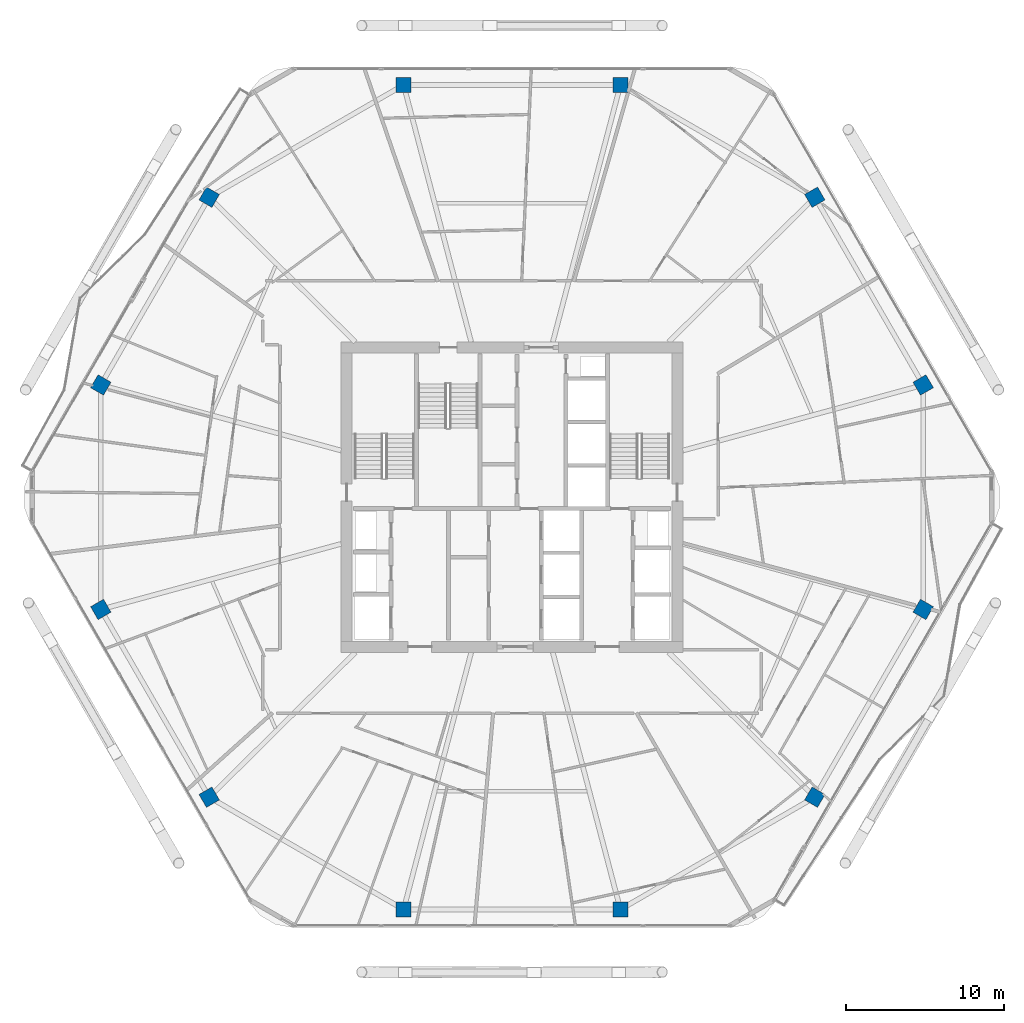
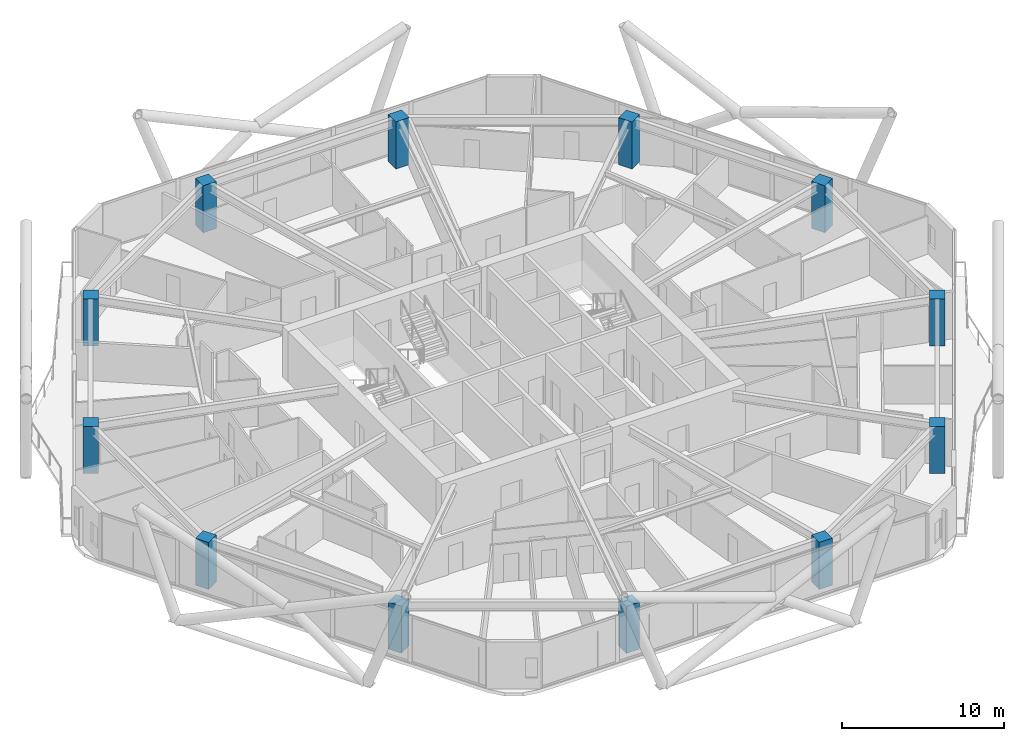
# One storey, part 1 of 28: 12 columns.
"""IFC4 building model written with IfcOpenShell, lengths in metres."""

from ifc_helpers import new_model, si_unit, direction, frame, origin, origin_2d, place, context, subcontext, project, spatial, rectangle, extrude, material, material_profile, profile_set, type_object, element, save


model = new_model("IFC4")

# Units and contexts
model_context = context("Model", 3, precision=1e-05, world=origin(), true_north=direction((0.0, 1.0)))
body_context = subcontext(model_context, "Body", "Model", "MODEL_VIEW")
ifc_project = project(units=[si_unit("LENGTHUNIT", "METRE"), si_unit("AREAUNIT", "SQUARE_METRE"), si_unit("VOLUMEUNIT", "CUBIC_METRE"), si_unit("PLANEANGLEUNIT", "RADIAN"), si_unit("MASSUNIT", "GRAM", prefix="KILO")], contexts=[model_context])

# Site, building, storey
site_placement = place(None, origin())
site = spatial("IfcSite", under=ifc_project, at=site_placement, CompositionType="ELEMENT")
building_placement = place(site_placement, origin())
building = spatial("IfcBuilding", under=site, at=building_placement, Name="Zuhravey Tower", CompositionType="ELEMENT")
storey_placement = place(building_placement, frame((0.0, 0.0, 199.800048828125)))
storey = spatial("IfcBuildingStorey", under=building, at=storey_placement, Name="L50", CompositionType="ELEMENT", Elevation=199.800048828125)

# Columns
ifc_material = material(Name="Concrete C50/60", Category="concrete")
ifc_material_profile = material_profile(ifc_material, rectangle(XDim=0.949951171875, YDim=0.949951171875, at=origin_2d()), Name="RC-950x950")
ifc_profile_set = profile_set([ifc_material_profile], Name="Concrete C50/60")
column_type = type_object("IfcColumnType", Name="Zone 2 Upper Column 950x950", PredefinedType="COLUMN", material=ifc_profile_set)
for number, where, z_axis, x_axis, name in (
    (1, (62.107666015625, 39.12646484375, 0.0), (0.0, 0.0, 1.0), (-0.5, 0.866025403784, 0.0), "L50 Perimeter Column PC01"),
    (2, (55.2255859375, 51.046630859375, 0.0), (0.0, 0.0, 1.0), (-0.5, 0.866025403784, 0.0), "L50 Perimeter Column PC02"),
    (3, (42.882080078125, 58.173095703125, 0.0), (0.0, 0.0, 1.0), (-1.0, 0.0, 0.0), "L50 Perimeter Column PC03"),
    (4, (29.117919921875, 58.173095703125, 0.0), (0.0, 0.0, 1.0), (-1.0, 0.0, 0.0), "L50 Perimeter Column PC04"),
    (5, (16.7744140625, 51.046630859375, 0.0), (0.0, 0.0, 1.0), (-0.5, -0.866025403784, 0.0), "L50 Perimeter Column PC05"),
    (6, (9.892333984375, 39.12646484375, 0.0), (0.0, 0.0, 1.0), (-0.5, -0.866025403784, 0.0), "L50 Perimeter Column PC06"),
    (7, (9.892333984375, 24.87353515625, 0.0), (0.0, 0.0, 1.0), (0.5, -0.866025403784, 0.0), "L50 Perimeter Column PC07"),
    (8, (16.7744140625, 12.953369140625, 0.0), (0.0, 0.0, 1.0), (0.5, -0.866025403784, 0.0), "L50 Perimeter Column PC08"),
    (9, (29.117919921875, 5.826904296875, 0.0), (0.0, 0.0, 1.0), (1.0, 0.0, 0.0), "L50 Perimeter Column PC09"),
    (10, (42.882080078125, 5.826904296875, 0.0), (0.0, 0.0, 1.0), (1.0, 0.0, 0.0), "L50 Perimeter Column PC10"),
    (11, (55.2255859375, 12.953369140625, 0.0), (0.0, 0.0, 1.0), (0.5, 0.866025403784, 0.0), "L50 Perimeter Column PC11"),
    (12, (62.107666015625, 24.87353515625, 0.0), (0.0, 0.0, 1.0), (0.5, 0.866025403784, 0.0), "L50 Perimeter Column PC12"),
):
    element("IfcColumn", number, at=place(storey_placement, frame(where, z_axis=z_axis, x_axis=x_axis)), inside=storey, type_object=column_type, Name=name, PredefinedType="COLUMN", context=body_context, shape_type="SweptSolid", body=[
        extrude(rectangle(XDim=0.949951171875, YDim=0.949951171875, at=origin_2d()), origin(), (0.0, 0.0, 1.0), 3.550048828125),
    ])

save(model, "model.ifc")
